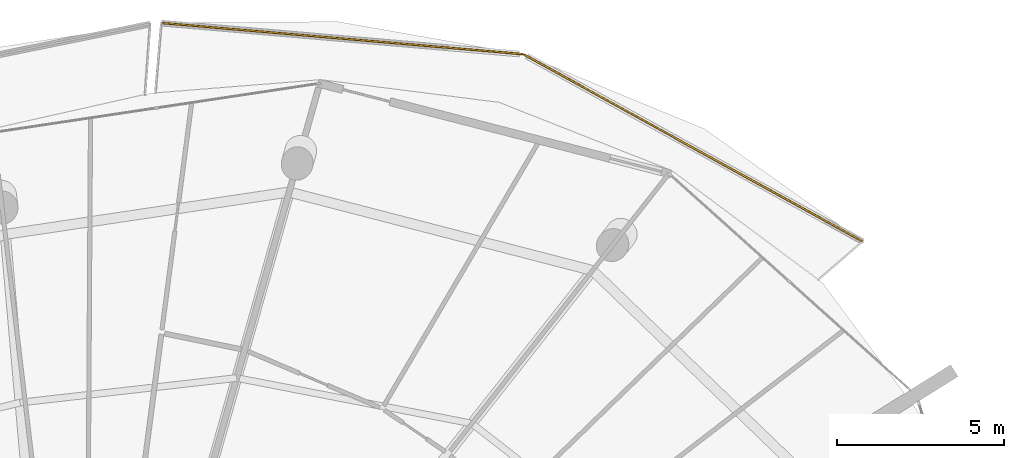
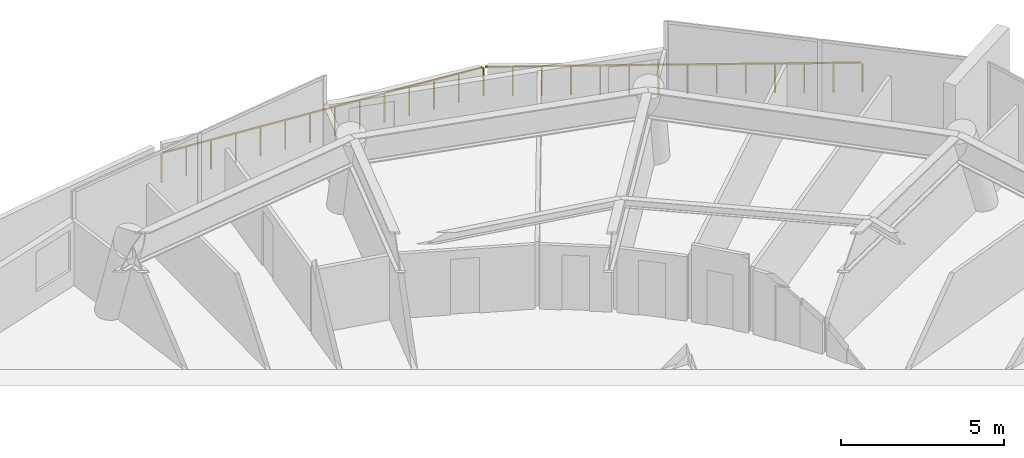
# One storey, part 27 of 27: 2 railings.
"""IFC4 building model written with IfcOpenShell, lengths in metres."""

from ifc_helpers import new_model, si_unit, direction, frame, origin, origin_2d, place, context, subcontext, project, spatial, rectangle, extrude, material, type_object, element, save


model = new_model("IFC4")

# Units and contexts
model_context = context("Model", 3, precision=1e-05, world=origin(), true_north=direction((0.0, 1.0)))
body_context = subcontext(model_context, "Body", "Model", "MODEL_VIEW")
ifc_project = project(units=[si_unit("LENGTHUNIT", "METRE"), si_unit("AREAUNIT", "SQUARE_METRE"), si_unit("VOLUMEUNIT", "CUBIC_METRE"), si_unit("PLANEANGLEUNIT", "RADIAN"), si_unit("MASSUNIT", "GRAM", prefix="KILO")], contexts=[model_context])

# Site, building, storey
site_placement = place(None, origin())
site = spatial("IfcSite", under=ifc_project, at=site_placement, CompositionType="ELEMENT")
building_placement = place(site_placement, origin())
building = spatial("IfcBuilding", under=site, at=building_placement, Name="Kazma Halo Residences", CompositionType="ELEMENT")
storey_placement = place(building_placement, frame((0.0, 0.0, 306.0)))
storey = spatial("IfcBuildingStorey", under=building, at=storey_placement, Name="L77", CompositionType="ELEMENT", Elevation=306.0)

# Railings
ifc_material = material(Name="Aluminium AW-6063 T6 Brushed Cap Rail", Category="aluminium")
railing_type = type_object("IfcRailingType", Name="RLG-BAL-CAP-1120", PredefinedType="BALUSTRADE", material=ifc_material)
railing_1_placement = place(storey_placement, frame((71.2861328125, 62.135498046875, 0.0)))
element("IfcRailing", 1, at=railing_1_placement, inside=storey, type_object=railing_type, Name="L77 NE wave balcony guard 2", PredefinedType="BALUSTRADE", context=body_context, shape_type="SweptSolid", body=[
    extrude(rectangle(XDim=0.050048828125, YDim=0.050048828125, at=origin_2d()), frame((-0.037353515625, 0.0205078125, 1.09521484375), z_axis=(-0.875470958371, 0.483270732663, 0.0), x_axis=(-0.483270732663, -0.875470958371, 0.0)), (0.0, 0.0, 1.0), 11.528076171875),
    extrude(rectangle(XDim=0.0400390625, YDim=0.0400390625, at=origin_2d()), origin(), (0.0, 0.0, 1.0), 1.05810546875),
    extrude(rectangle(XDim=0.0400390625, YDim=0.0400390625, at=origin_2d()), frame((-0.781982421875, 0.431640625, 0.0)), (0.0, 0.0, 1.0), 1.05810546875),
    extrude(rectangle(XDim=0.0400390625, YDim=0.0400390625, at=origin_2d()), frame((-1.564208984375, 0.863525390625, 0.0)), (0.0, 0.0, 1.0), 1.05810546875),
    extrude(rectangle(XDim=0.0400390625, YDim=0.0400390625, at=origin_2d()), frame((-2.34619140625, 1.295166015625, 0.0)), (0.0, 0.0, 1.0), 1.05810546875),
    extrude(rectangle(XDim=0.0400390625, YDim=0.0400390625, at=origin_2d()), frame((-3.12841796875, 1.726806640625, 0.0)), (0.0, 0.0, 1.0), 1.05810546875),
    extrude(rectangle(XDim=0.0400390625, YDim=0.0400390625, at=origin_2d()), frame((-3.910400390625, 2.15869140625, 0.0)), (0.0, 0.0, 1.0), 1.05810546875),
    extrude(rectangle(XDim=0.0400390625, YDim=0.0400390625, at=origin_2d()), frame((-4.6923828125, 2.59033203125, 0.0)), (0.0, 0.0, 1.0), 1.05810546875),
    extrude(rectangle(XDim=0.0400390625, YDim=0.0400390625, at=origin_2d()), frame((-5.474609375, 3.02197265625, 0.0)), (0.0, 0.0, 1.0), 1.05810546875),
    extrude(rectangle(XDim=0.0400390625, YDim=0.0400390625, at=origin_2d()), frame((-6.256591796875, 3.45361328125, 0.0)), (0.0, 0.0, 1.0), 1.05810546875),
    extrude(rectangle(XDim=0.0400390625, YDim=0.0400390625, at=origin_2d()), frame((-7.03857421875, 3.885498046875, 0.0)), (0.0, 0.0, 1.0), 1.05810546875),
    extrude(rectangle(XDim=0.0400390625, YDim=0.0400390625, at=origin_2d()), frame((-7.82080078125, 4.317138671875, 0.0)), (0.0, 0.0, 1.0), 1.05810546875),
    extrude(rectangle(XDim=0.0400390625, YDim=0.0400390625, at=origin_2d()), frame((-8.602783203125, 4.748779296875, 0.0)), (0.0, 0.0, 1.0), 1.05810546875),
    extrude(rectangle(XDim=0.0400390625, YDim=0.0400390625, at=origin_2d()), frame((-9.385009765625, 5.1806640625, 0.0)), (0.0, 0.0, 1.0), 1.05810546875),
    extrude(rectangle(XDim=0.0400390625, YDim=0.0400390625, at=origin_2d()), frame((-10.1669921875, 5.6123046875, 0.0)), (0.0, 0.0, 1.0), 1.05810546875),
])
railing_2_placement = place(storey_placement, frame((61.119140625, 67.747802734375, 0.0)))
element("IfcRailing", 2, at=railing_2_placement, inside=storey, type_object=railing_type, Name="L77 NE wave balcony guard 3", PredefinedType="BALUSTRADE", context=body_context, shape_type="SweptSolid", body=[
    extrude(rectangle(XDim=0.050048828125, YDim=0.050048828125, at=origin_2d()), frame((-0.04248046875, 0.003662109375, 1.09521484375), z_axis=(-0.996300800739, 0.085934361271, 0.0), x_axis=(-0.085934361271, -0.996300800739, 0.0)), (0.0, 0.0, 1.0), 10.810302734375),
    extrude(rectangle(XDim=0.0400390625, YDim=0.0400390625, at=origin_2d()), origin(), (0.0, 0.0, 1.0), 1.05810546875),
    extrude(rectangle(XDim=0.0400390625, YDim=0.0400390625, at=origin_2d()), frame((-0.8349609375, 0.072021484375, 0.0)), (0.0, 0.0, 1.0), 1.05810546875),
    extrude(rectangle(XDim=0.0400390625, YDim=0.0400390625, at=origin_2d()), frame((-1.669921875, 0.14404296875, 0.0)), (0.0, 0.0, 1.0), 1.05810546875),
    extrude(rectangle(XDim=0.0400390625, YDim=0.0400390625, at=origin_2d()), frame((-2.5048828125, 0.216064453125, 0.0)), (0.0, 0.0, 1.0), 1.05810546875),
    extrude(rectangle(XDim=0.0400390625, YDim=0.0400390625, at=origin_2d()), frame((-3.340087890625, 0.2880859375, 0.0)), (0.0, 0.0, 1.0), 1.05810546875),
    extrude(rectangle(XDim=0.0400390625, YDim=0.0400390625, at=origin_2d()), frame((-4.175048828125, 0.360107421875, 0.0)), (0.0, 0.0, 1.0), 1.05810546875),
    extrude(rectangle(XDim=0.0400390625, YDim=0.0400390625, at=origin_2d()), frame((-5.010009765625, 0.43212890625, 0.0)), (0.0, 0.0, 1.0), 1.05810546875),
    extrude(rectangle(XDim=0.0400390625, YDim=0.0400390625, at=origin_2d()), frame((-5.844970703125, 0.504150390625, 0.0)), (0.0, 0.0, 1.0), 1.05810546875),
    extrude(rectangle(XDim=0.0400390625, YDim=0.0400390625, at=origin_2d()), frame((-6.679931640625, 0.576171875, 0.0)), (0.0, 0.0, 1.0), 1.05810546875),
    extrude(rectangle(XDim=0.0400390625, YDim=0.0400390625, at=origin_2d()), frame((-7.514892578125, 0.648193359375, 0.0)), (0.0, 0.0, 1.0), 1.05810546875),
    extrude(rectangle(XDim=0.0400390625, YDim=0.0400390625, at=origin_2d()), frame((-8.35009765625, 0.72021484375, 0.0)), (0.0, 0.0, 1.0), 1.05810546875),
    extrude(rectangle(XDim=0.0400390625, YDim=0.0400390625, at=origin_2d()), frame((-9.18505859375, 0.792236328125, 0.0)), (0.0, 0.0, 1.0), 1.05810546875),
    extrude(rectangle(XDim=0.0400390625, YDim=0.0400390625, at=origin_2d()), frame((-10.02001953125, 0.8642578125, 0.0)), (0.0, 0.0, 1.0), 1.05810546875),
    extrude(rectangle(XDim=0.0400390625, YDim=0.0400390625, at=origin_2d()), frame((-10.85498046875, 0.936279296875, 0.0)), (0.0, 0.0, 1.0), 1.05810546875),
])

save(model, "model.ifc")
